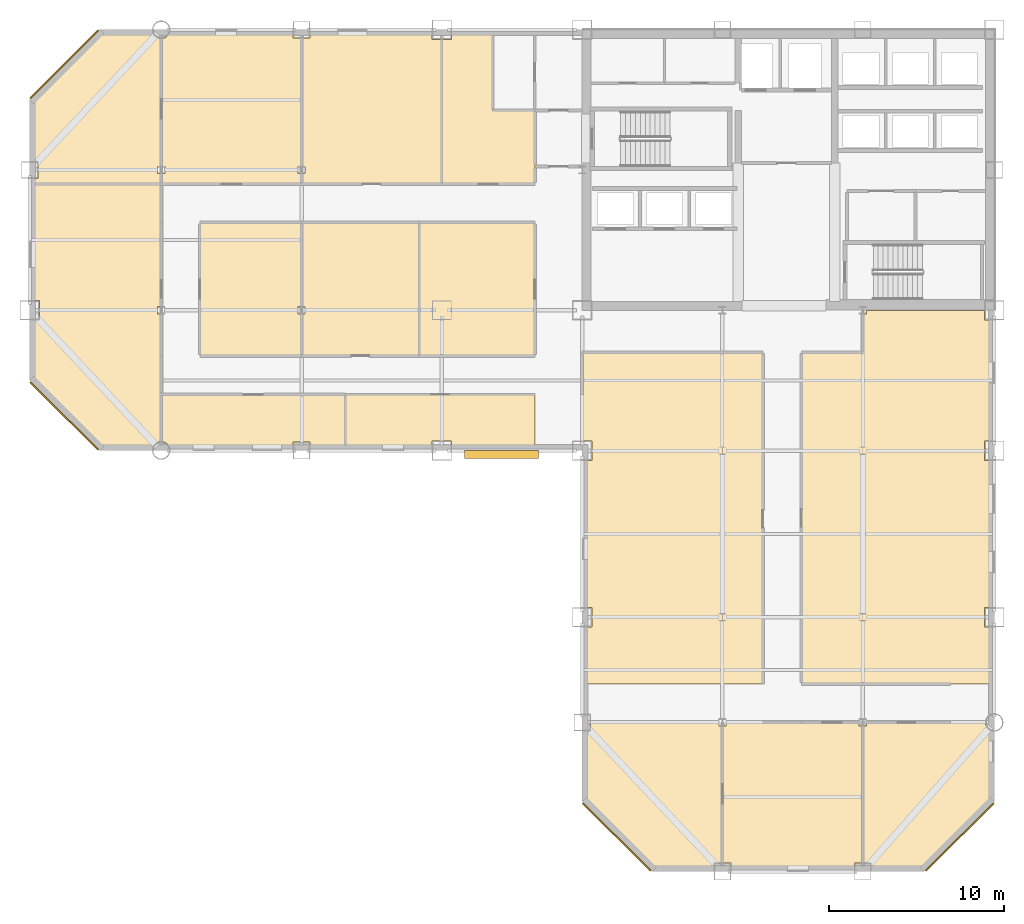
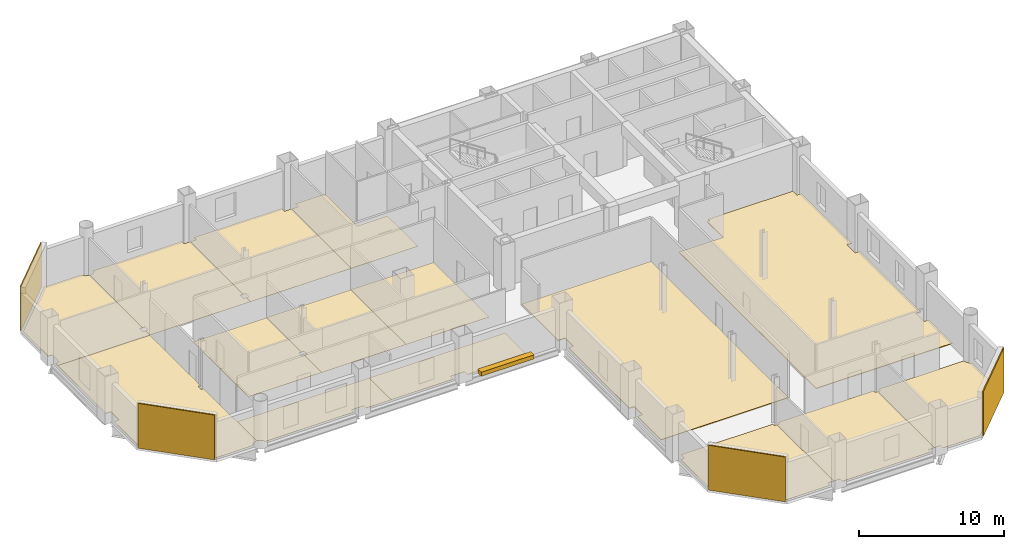
# One storey, part 9 of 10: 19 coverings, 1 shading device.
"""IFC4 building model written with IfcOpenShell, lengths in metres."""

from ifc_helpers import new_model, si_unit, direction, frame, origin, origin_2d, place, context, subcontext, project, spatial, polyline, rectangle, outline, extrude, material, layer, layer_set, type_object, element, save


model = new_model("IFC4")

# Units and contexts
model_context = context("Model", 3, precision=1e-05, world=origin(), true_north=direction((0.0, 1.0)))
body_context = subcontext(model_context, "Body", "Model", "MODEL_VIEW")
ifc_project = project(units=[si_unit("LENGTHUNIT", "METRE"), si_unit("AREAUNIT", "SQUARE_METRE"), si_unit("VOLUMEUNIT", "CUBIC_METRE"), si_unit("PLANEANGLEUNIT", "RADIAN"), si_unit("MASSUNIT", "GRAM", prefix="KILO")], contexts=[model_context])

# Site, building, storey
site_placement = place(None, origin())
site = spatial("IfcSite", under=ifc_project, at=site_placement, CompositionType="ELEMENT")
building_placement = place(site_placement, origin())
building = spatial("IfcBuilding", under=site, at=building_placement, Name="Qianrong Seaharbour Tower", CompositionType="ELEMENT")
storey_placement = place(building_placement, frame((0.0, 0.0, 135.0)))
storey = spatial("IfcBuildingStorey", under=building, at=storey_placement, Name="L32", CompositionType="ELEMENT", Elevation=135.0)

# Coverings
ifc_material_1 = material(Name="Unitised red brick cladding on Precast concrete C45/55", Category="masonry")
ifc_layer_1 = layer(ifc_material_1, 0.080078125)
ifc_layer_set_1 = layer_set([ifc_layer_1], Name="Unitised red brick cladding on Precast concrete C45/55")
covering_type_1 = type_object("IfcCoveringType", Name="COV-CLAD-RED-BRICK-80", PredefinedType="CLADDING", material=ifc_layer_set_1)
for number, where, z_axis, x_axis, name in (
    (1, (10.9716796875, 29.9716796875, 0.0), (0.0, 0.0, 1.0), (-0.707106781187, 0.707106781187, 0.0), "L32 Chamfer Corner Brick Cladding 02"),
    (2, (10.9716796875, 50.0283203125, 0.0), (0.0, 0.0, 1.0), (0.707106781187, 0.707106781187, 0.0), "L32 Chamfer Corner Brick Cladding 04"),
    (3, (62.0283203125, 5.9716796875, 0.0), (0.0, 0.0, 1.0), (-0.707106781187, -0.707106781187, 0.0), "L32 Chamfer Corner Brick Cladding 07"),
    (4, (42.4716796875, 5.9716796875, 0.0), (0.0, 0.0, 1.0), (-0.707106781187, 0.707106781187, 0.0), "L32 Chamfer Corner Brick Cladding 09"),
):
    element("IfcCovering", number, at=place(storey_placement, frame(where, z_axis=z_axis, x_axis=x_axis)), inside=storey, type_object=covering_type_1, Name=name, PredefinedType="CLADDING", context=body_context, shape_type="SweptSolid", body=[
        extrude(rectangle(XDim=5.456787109375, YDim=0.080078125, at=origin_2d()), origin(), (0.0, 0.0, 1.0), 3.764892578125),
    ])
ifc_material_2 = material(Name="Acoustic modular carpet tile flooring")
ifc_layer_2 = layer(ifc_material_2, 0.02001953125)
ifc_layer_set_2 = layer_set([ifc_layer_2], Name="Acoustic modular carpet tile flooring")
covering_type_2 = type_object("IfcCoveringType", Name="COV-FLOOR-CARPET-20", PredefinedType="FLOORING", material=ifc_layer_set_2)
covering_1_placement = place(storey_placement, origin())
element("IfcCovering", 5, at=covering_1_placement, inside=storey, type_object=covering_type_2, Name="L32 Boardroom 1 Finish Flooring", PredefinedType="FLOORING", context=body_context, shape_type="SweptSolid", body=[
    extrude(outline(polyline([(9.1650390625, 43.514892578125), (9.485107421875, 43.514892578125), (9.485107421875, 44.485107421875), (9.1650390625, 44.485107421875), (9.1650390625, 47.931640625), (13.068359375, 51.8349609375), (16.019775390625, 51.8349609375), (16.02880859375, 51.8046875), (16.075927734375, 51.716796875), (16.139404296875, 51.639404296875), (16.216796875, 51.575927734375), (16.3046875, 51.52880859375), (16.400390625, 51.499755859375), (16.5, 51.489990234375), (16.5, 44.2099609375), (16.2900390625, 44.2099609375), (16.2900390625, 43.7900390625), (16.5, 43.7900390625), (16.5, 43.199951171875), (9.1650390625, 43.199951171875), (9.1650390625, 43.514892578125)])), origin(), (0.0, 0.0, 1.0), 0.02001953125),
])
covering_2_placement = place(storey_placement, origin())
element("IfcCovering", 6, at=covering_2_placement, inside=storey, type_object=covering_type_2, Name="L32 Meeting Room 2 Finish Flooring", PredefinedType="FLOORING", context=body_context, shape_type="SweptSolid", body=[
    extrude(outline(polyline([(16.5, 43.7900390625), (16.7099609375, 43.7900390625), (16.7099609375, 44.2099609375), (16.5, 44.2099609375), (16.5, 51.489990234375), (16.599609375, 51.499755859375), (16.6953125, 51.52880859375), (16.783203125, 51.575927734375), (16.860595703125, 51.639404296875), (16.924072265625, 51.716796875), (16.97119140625, 51.8046875), (16.980224609375, 51.8349609375), (24.014892578125, 51.8349609375), (24.014892578125, 51.514892578125), (24.5, 51.514892578125), (24.5, 44.2099609375), (24.2900390625, 44.2099609375), (24.2900390625, 43.7900390625), (24.5, 43.7900390625), (24.5, 43.199951171875), (16.5, 43.199951171875), (16.5, 43.7900390625)])), origin(), (0.0, 0.0, 1.0), 0.02001953125),
])
covering_3_placement = place(storey_placement, origin())
element("IfcCovering", 7, at=covering_3_placement, inside=storey, type_object=covering_type_2, Name="L32 Project Library 3 Finish Flooring", PredefinedType="FLOORING", context=body_context, shape_type="SweptSolid", body=[
    extrude(outline(polyline([(24.5, 43.7900390625), (24.7099609375, 43.7900390625), (24.7099609375, 44.2099609375), (24.5, 44.2099609375), (24.5, 51.514892578125), (24.985107421875, 51.514892578125), (24.985107421875, 51.8349609375), (31.93994140625, 51.8349609375), (31.93994140625, 51.43994140625), (32.5, 51.43994140625), (32.5, 43.199951171875), (24.5, 43.199951171875), (24.5, 43.7900390625)])), origin(), (0.0, 0.0, 1.0), 0.02001953125),
])
covering_4_placement = place(storey_placement, origin())
element("IfcCovering", 8, at=covering_4_placement, inside=storey, type_object=covering_type_2, Name="L32 Training Seminar Room 4 Finish Flooring", PredefinedType="FLOORING", context=body_context, shape_type="SweptSolid", body=[
    extrude(outline(polyline([(32.5, 51.43994140625), (33.06005859375, 51.43994140625), (33.06005859375, 51.8349609375), (35.39990234375, 51.8349609375), (35.39990234375, 47.39990234375), (37.800048828125, 47.39990234375), (37.800048828125, 43.199951171875), (32.5, 43.199951171875), (32.5, 51.43994140625)])), origin(), (0.0, 0.0, 1.0), 0.02001953125),
])
covering_5_placement = place(storey_placement, origin())
element("IfcCovering", 9, at=covering_5_placement, inside=storey, type_object=covering_type_2, Name="L32 Conference Room 1 Finish Flooring", PredefinedType="FLOORING", context=body_context, shape_type="SweptSolid", body=[
    extrude(outline(polyline([(24.5, 41.0), (24.5, 36.2099609375), (24.2900390625, 36.2099609375), (24.2900390625, 35.7900390625), (24.5, 35.7900390625), (24.5, 33.39990234375), (18.699951171875, 33.39990234375), (18.699951171875, 41.0), (24.5, 41.0)])), origin(), (0.0, 0.0, 1.0), 0.02001953125),
])
covering_6_placement = place(storey_placement, origin())
element("IfcCovering", 10, at=covering_6_placement, inside=storey, type_object=covering_type_2, Name="L32 Project Library 2 Finish Flooring", PredefinedType="FLOORING", context=body_context, shape_type="SweptSolid", body=[
    extrude(outline(polyline([(31.199951171875, 41.0), (31.199951171875, 33.39990234375), (24.5, 33.39990234375), (24.5, 35.7900390625), (24.7099609375, 35.7900390625), (24.7099609375, 36.2099609375), (24.5, 36.2099609375), (24.5, 41.0), (31.199951171875, 41.0)])), origin(), (0.0, 0.0, 1.0), 0.02001953125),
])
covering_7_placement = place(storey_placement, origin())
element("IfcCovering", 11, at=covering_7_placement, inside=storey, type_object=covering_type_2, Name="L32 Briefing Room 3 Finish Flooring", PredefinedType="FLOORING", context=body_context, shape_type="SweptSolid", body=[
    extrude(outline(polyline([(37.800048828125, 41.0), (37.800048828125, 33.39990234375), (31.199951171875, 33.39990234375), (31.199951171875, 41.0), (37.800048828125, 41.0)])), origin(), (0.0, 0.0, 1.0), 0.02001953125),
])
covering_8_placement = place(storey_placement, origin())
element("IfcCovering", 12, at=covering_8_placement, inside=storey, type_object=covering_type_2, Name="L32 West Harbour Lecture Hall Finish Flooring", PredefinedType="FLOORING", context=body_context, shape_type="SweptSolid", body=[
    extrude(outline(polyline([(13.068359375, 28.1650390625), (9.1650390625, 32.068359375), (9.1650390625, 35.43994140625), (9.56005859375, 35.43994140625), (9.56005859375, 36.56005859375), (9.1650390625, 36.56005859375), (9.1650390625, 43.199951171875), (16.5, 43.199951171875), (16.5, 36.2099609375), (16.2900390625, 36.2099609375), (16.2900390625, 35.7900390625), (16.5, 35.7900390625), (16.5, 28.510009765625), (16.400390625, 28.500244140625), (16.3046875, 28.47119140625), (16.216796875, 28.424072265625), (16.139404296875, 28.360595703125), (16.075927734375, 28.283203125), (16.02880859375, 28.1953125), (16.019775390625, 28.1650390625), (13.068359375, 28.1650390625)])), origin(), (0.0, 0.0, 1.0), 0.02001953125),
])
covering_9_placement = place(storey_placement, origin())
element("IfcCovering", 13, at=covering_9_placement, inside=storey, type_object=covering_type_2, Name="L32 Meeting Room 1 Finish Flooring", PredefinedType="FLOORING", context=body_context, shape_type="SweptSolid", body=[
    extrude(outline(polyline([(27.0, 28.1650390625), (24.985107421875, 28.1650390625), (24.985107421875, 28.485107421875), (24.014892578125, 28.485107421875), (24.014892578125, 28.1650390625), (16.980224609375, 28.1650390625), (16.97119140625, 28.1953125), (16.924072265625, 28.283203125), (16.860595703125, 28.360595703125), (16.783203125, 28.424072265625), (16.6953125, 28.47119140625), (16.599609375, 28.500244140625), (16.5, 28.510009765625), (16.5, 31.199951171875), (27.0, 31.199951171875), (27.0, 28.1650390625)])), origin(), (0.0, 0.0, 1.0), 0.02001953125),
])
covering_10_placement = place(storey_placement, origin())
element("IfcCovering", 14, at=covering_10_placement, inside=storey, type_object=covering_type_2, Name="L32 Wet Pantry 2 Finish Flooring", PredefinedType="FLOORING", context=body_context, shape_type="SweptSolid", body=[
    extrude(outline(polyline([(37.800048828125, 28.1650390625), (33.06005859375, 28.1650390625), (33.06005859375, 28.56005859375), (31.93994140625, 28.56005859375), (31.93994140625, 28.1650390625), (27.0, 28.1650390625), (27.0, 31.199951171875), (37.800048828125, 31.199951171875), (37.800048828125, 28.1650390625)])), origin(), (0.0, 0.0, 1.0), 0.02001953125),
])
covering_11_placement = place(storey_placement, origin())
element("IfcCovering", 15, at=covering_11_placement, inside=storey, type_object=covering_type_2, Name="L32 Maritime Seminar Room 1 Finish Flooring", PredefinedType="FLOORING", context=body_context, shape_type="SweptSolid", body=[
    extrude(outline(polyline([(44.568359375, 4.1650390625), (40.6650390625, 8.068359375), (40.6650390625, 12.014892578125), (40.985107421875, 12.014892578125), (40.985107421875, 12.5), (48.2900390625, 12.5), (48.2900390625, 12.2900390625), (48.5, 12.2900390625), (48.5, 4.485107421875), (48.014892578125, 4.485107421875), (48.014892578125, 4.1650390625), (44.568359375, 4.1650390625)])), origin(), (0.0, 0.0, 1.0), 0.02001953125),
])
covering_12_placement = place(storey_placement, origin())
element("IfcCovering", 16, at=covering_12_placement, inside=storey, type_object=covering_type_2, Name="L32 Meeting Room 2 Finish Flooring", PredefinedType="FLOORING", context=body_context, shape_type="SweptSolid", body=[
    extrude(outline(polyline([(56.5, 4.485107421875), (56.014892578125, 4.485107421875), (56.014892578125, 4.1650390625), (48.985107421875, 4.1650390625), (48.985107421875, 4.485107421875), (48.5, 4.485107421875), (48.5, 12.2900390625), (48.7099609375, 12.2900390625), (48.7099609375, 12.5), (56.2900390625, 12.5), (56.2900390625, 12.2900390625), (56.5, 12.2900390625), (56.5, 4.485107421875)])), origin(), (0.0, 0.0, 1.0), 0.02001953125),
])
covering_13_placement = place(storey_placement, origin())
element("IfcCovering", 17, at=covering_13_placement, inside=storey, type_object=covering_type_2, Name="L32 Standards Library 3 Finish Flooring", PredefinedType="FLOORING", context=body_context, shape_type="SweptSolid", body=[
    extrude(outline(polyline([(63.8349609375, 8.068359375), (59.931640625, 4.1650390625), (56.985107421875, 4.1650390625), (56.985107421875, 4.485107421875), (56.5, 4.485107421875), (56.5, 12.2900390625), (56.7099609375, 12.2900390625), (56.7099609375, 12.5), (63.489990234375, 12.5), (63.499755859375, 12.400390625), (63.52880859375, 12.3046875), (63.575927734375, 12.216796875), (63.639404296875, 12.139404296875), (63.716796875, 12.075927734375), (63.8046875, 12.02880859375), (63.8349609375, 12.019775390625), (63.8349609375, 8.068359375)])), origin(), (0.0, 0.0, 1.0), 0.02001953125),
])
ifc_material_3 = material(Name="Calcium-sulphate raised access floor tile")
ifc_layer_3 = layer(ifc_material_3, 0.044921875)
ifc_layer_set_3 = layer_set([ifc_layer_3], Name="Calcium-sulphate raised access floor tile")
covering_type_3 = type_object("IfcCoveringType", Name="COV-FLOOR-RAISED-45", PredefinedType="FLOORING", material=ifc_layer_set_3)
covering_14_placement = place(storey_placement, origin())
element("IfcCovering", 18, at=covering_14_placement, inside=storey, type_object=covering_type_3, Name="L32 South Wing Open-Plan Office Finish Flooring", PredefinedType="FLOORING", context=body_context, shape_type="SweptSolid", body=[
    extrude(outline(polyline([(56.5, 33.60009765625), (56.5, 35.7900390625), (56.7099609375, 35.7900390625), (56.7099609375, 36.0), (63.43994140625, 36.0), (63.43994140625, 35.43994140625), (63.8349609375, 35.43994140625), (63.8349609375, 28.56005859375), (63.43994140625, 28.56005859375), (63.43994140625, 27.43994140625), (63.8349609375, 27.43994140625), (63.8349609375, 19.06005859375), (63.43994140625, 19.06005859375), (63.43994140625, 17.93994140625), (63.8349609375, 17.93994140625), (63.8349609375, 14.699951171875), (53.0, 14.699951171875), (53.0, 33.60009765625), (56.5, 33.60009765625)])), origin(), (0.0, 0.0, 1.0), 0.044921875),
])
covering_15_placement = place(storey_placement, origin())
element("IfcCovering", 19, at=covering_15_placement, inside=storey, type_object=covering_type_3, Name="L32 West Spine Open-Plan Office Finish Flooring", PredefinedType="FLOORING", context=body_context, shape_type="SweptSolid", body=[
    extrude(outline(polyline([(50.800048828125, 14.699951171875), (40.6650390625, 14.699951171875), (40.6650390625, 17.93994140625), (41.06005859375, 17.93994140625), (41.06005859375, 19.06005859375), (40.6650390625, 19.06005859375), (40.6650390625, 27.43994140625), (41.06005859375, 27.43994140625), (41.06005859375, 28.56005859375), (40.5, 28.56005859375), (40.5, 33.60009765625), (50.800048828125, 33.60009765625), (50.800048828125, 14.699951171875)])), origin(), (0.0, 0.0, 1.0), 0.044921875),
])

# Shading device
ifc_material_4 = material(Name="White architectural precast concrete C45/55", Category="concrete")
shading_device_type = type_object("IfcShadingDeviceType", Name="SHD-SUNSHADE-WHITE-320", PredefinedType="AWNING", material=ifc_material_4)
shading_device_placement = place(storey_placement, frame((35.89990234375, 27.780029296875, -0.02001953125), z_axis=(0.0, 0.0, 1.0), x_axis=(1.0, 0.0, 0.0)))
element("IfcShadingDevice", 20, at=shading_device_placement, inside=storey, type_object=shading_device_type, Name="L32 Climbing White Precast Ribbon Canopy Fin", PredefinedType="AWNING", context=body_context, shape_type="SweptSolid", body=[
    extrude(rectangle(XDim=4.199951171875, YDim=0.4599609375, at=origin_2d()), origin(), (0.0, 0.0, 1.0), 0.340087890625),
])

save(model, "model.ifc")
